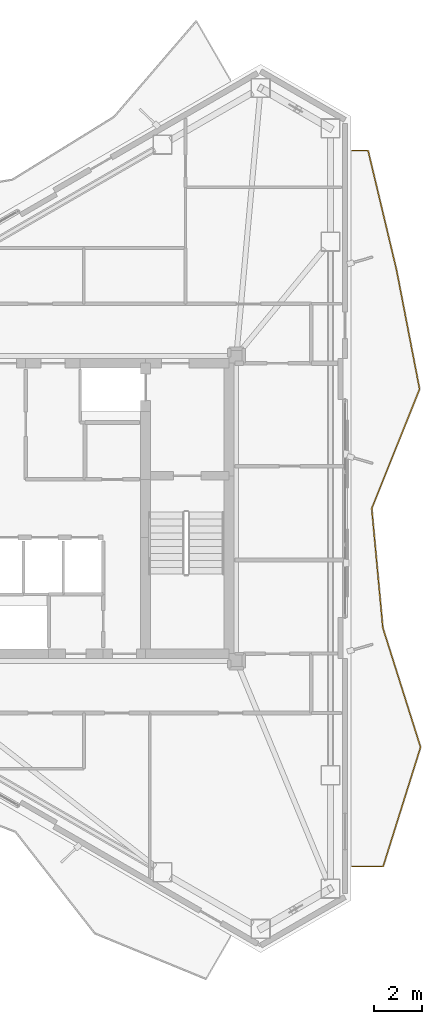
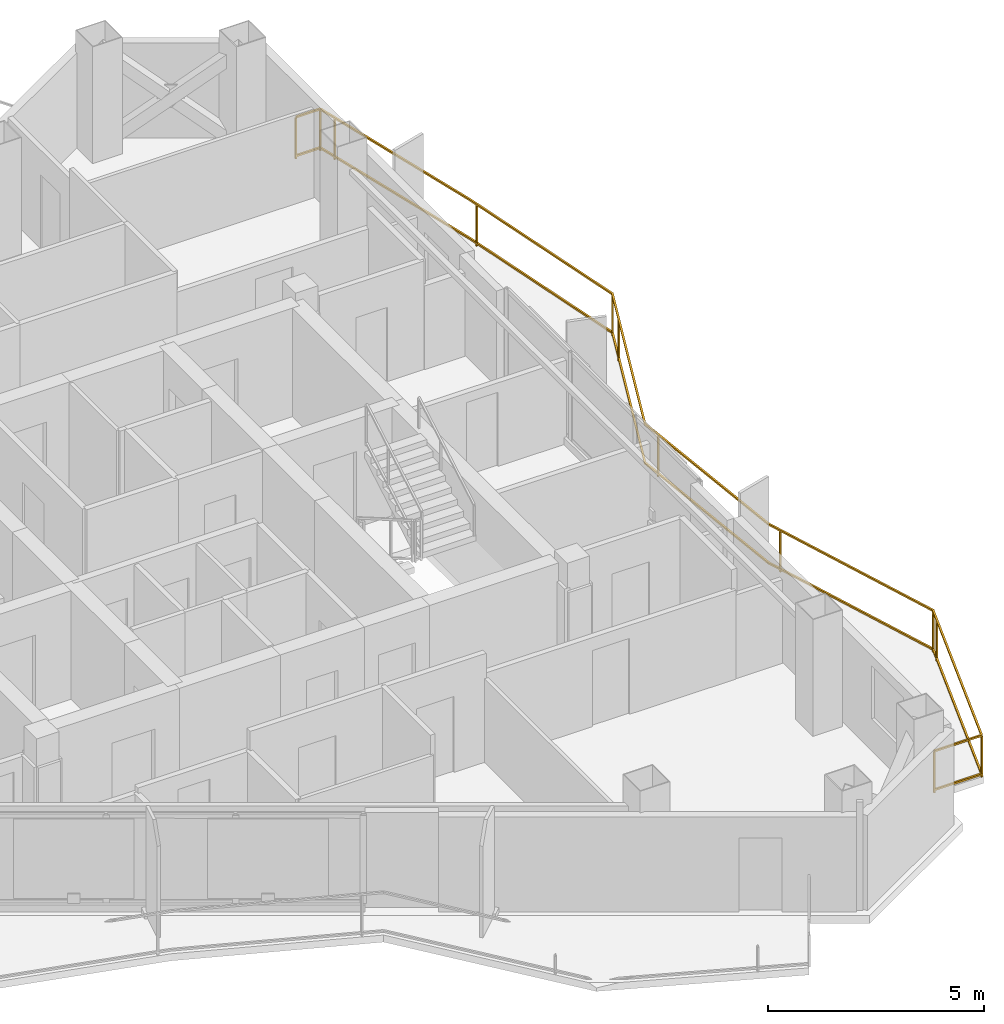
# One storey, part 21 of 21: 1 railing.
"""IFC4 building model written with IfcOpenShell, lengths in metres."""

from ifc_helpers import new_model, si_unit, direction, frame, origin, origin_2d, place, context, subcontext, project, spatial, rectangle, extrude, material, type_object, element, save


model = new_model("IFC4")

# Units and contexts
model_context = context("Model", 3, precision=1e-05, world=origin(), true_north=direction((0.0, 1.0)))
body_context = subcontext(model_context, "Body", "Model", "MODEL_VIEW")
ifc_project = project(units=[si_unit("LENGTHUNIT", "METRE"), si_unit("AREAUNIT", "SQUARE_METRE"), si_unit("VOLUMEUNIT", "CUBIC_METRE"), si_unit("PLANEANGLEUNIT", "RADIAN"), si_unit("MASSUNIT", "GRAM", prefix="KILO")], contexts=[model_context])

# Site, building, storey
site_placement = place(None, origin())
site = spatial("IfcSite", under=ifc_project, at=site_placement, CompositionType="ELEMENT")
building_placement = place(site_placement, origin())
building = spatial("IfcBuilding", under=site, at=building_placement, Name="Mersakhor Tower and Convention Hall", CompositionType="ELEMENT")
storey_placement = place(building_placement, frame((0.0, 0.0, 211.800048828125)))
storey = spatial("IfcBuildingStorey", under=building, at=storey_placement, Name="L59", CompositionType="ELEMENT", Elevation=211.800048828125)

# Railing
ifc_material = material(Name="Powder-coated galvanised steel and laminated glass balustrade", Category="steel")
railing_type = type_object("IfcRailingType", Name="RL-BAL-1200", PredefinedType="BALUSTRADE", material=ifc_material)
railing_placement = place(storey_placement, frame((40.888427734375, 11.957275390625, 0.0)))
element("IfcRailing", 1, at=railing_placement, inside=storey, type_object=railing_type, Name="L59 Sinusoidal Balcony Balustrade F2", PredefinedType="BALUSTRADE", context=body_context, shape_type="SweptSolid", body=[
    extrude(rectangle(XDim=0.048095703125, YDim=0.048095703125, at=origin_2d()), frame((0.0, 0.0, 1.17578125), z_axis=(1.0, 0.0, 0.0), x_axis=(0.0, 1.0, 0.0)), (0.0, 0.0, 1.0), 1.27294921875),
    extrude(rectangle(XDim=0.048095703125, YDim=0.048095703125, at=origin_2d()), frame((0.0, 0.0, 0.080078125), z_axis=(1.0, 0.0, 0.0), x_axis=(0.0, 1.0, 0.0)), (0.0, 0.0, 1.0), 1.27294921875),
    extrude(rectangle(XDim=0.048095703125, YDim=0.048095703125, at=origin_2d()), frame((1.27294921875, 0.0, 1.17578125), z_axis=(0.299369590017, 0.954137227328, 0.0), x_axis=(-0.954137227328, 0.299369590017, 0.0)), (0.0, 0.0, 1.0), 5.16796875),
    extrude(rectangle(XDim=0.048095703125, YDim=0.048095703125, at=origin_2d()), frame((1.27294921875, 0.0, 0.080078125), z_axis=(0.299369590017, 0.954137227328, 0.0), x_axis=(-0.954137227328, 0.299369590017, 0.0)), (0.0, 0.0, 1.0), 5.16796875),
    extrude(rectangle(XDim=0.048095703125, YDim=0.048095703125, at=origin_2d()), frame((2.820068359375, 4.930908203125, 1.17578125), z_axis=(-0.301303084076, 0.953528421981, 0.0), x_axis=(-0.953528421981, -0.301303084076, 0.0)), (0.0, 0.0, 1.0), 5.171142578125),
    extrude(rectangle(XDim=0.048095703125, YDim=0.048095703125, at=origin_2d()), frame((2.820068359375, 4.930908203125, 0.080078125), z_axis=(-0.301303084076, 0.953528421981, 0.0), x_axis=(-0.953528421981, -0.301303084076, 0.0)), (0.0, 0.0, 1.0), 5.171142578125),
    extrude(rectangle(XDim=0.048095703125, YDim=0.048095703125, at=origin_2d()), frame((1.261962890625, 9.86181640625, 1.17578125), z_axis=(-0.092682474925, 0.99569571599, 0.0), x_axis=(-0.99569571599, -0.092682474925, 0.0)), (0.0, 0.0, 1.0), 4.9521484375),
    extrude(rectangle(XDim=0.048095703125, YDim=0.048095703125, at=origin_2d()), frame((1.261962890625, 9.86181640625, 0.080078125), z_axis=(-0.092682474925, 0.99569571599, 0.0), x_axis=(-0.99569571599, -0.092682474925, 0.0)), (0.0, 0.0, 1.0), 4.9521484375),
    extrude(rectangle(XDim=0.048095703125, YDim=0.048095703125, at=origin_2d()), frame((0.802978515625, 14.792724609375, 1.17578125), z_axis=(0.371992820704, 0.928235606592, 0.0), x_axis=(-0.928235606592, 0.371992820704, 0.0)), (0.0, 0.0, 1.0), 5.31201171875),
    extrude(rectangle(XDim=0.048095703125, YDim=0.048095703125, at=origin_2d()), frame((0.802978515625, 14.792724609375, 0.080078125), z_axis=(0.371992820704, 0.928235606592, 0.0), x_axis=(-0.928235606592, 0.371992820704, 0.0)), (0.0, 0.0, 1.0), 5.31201171875),
    extrude(rectangle(XDim=0.048095703125, YDim=0.048095703125, at=origin_2d()), frame((2.779052734375, 19.7236328125, 1.17578125), z_axis=(-0.189923659462, 0.981798861059, 0.0), x_axis=(-0.981798861059, -0.189923659462, 0.0)), (0.0, 0.0, 1.0), 5.022216796875),
    extrude(rectangle(XDim=0.048095703125, YDim=0.048095703125, at=origin_2d()), frame((2.779052734375, 19.7236328125, 0.080078125), z_axis=(-0.189923659462, 0.981798861059, 0.0), x_axis=(-0.981798861059, -0.189923659462, 0.0)), (0.0, 0.0, 1.0), 5.022216796875),
    extrude(rectangle(XDim=0.048095703125, YDim=0.048095703125, at=origin_2d()), frame((1.8251953125, 24.654541015625, 1.17578125), z_axis=(-0.231857098364, 0.972749857845, 0.0), x_axis=(-0.972749857845, -0.231857098364, 0.0)), (0.0, 0.0, 1.0), 5.069091796875),
    extrude(rectangle(XDim=0.048095703125, YDim=0.048095703125, at=origin_2d()), frame((1.8251953125, 24.654541015625, 0.080078125), z_axis=(-0.231857098364, 0.972749857845, 0.0), x_axis=(-0.972749857845, -0.231857098364, 0.0)), (0.0, 0.0, 1.0), 5.069091796875),
    extrude(rectangle(XDim=0.048095703125, YDim=0.048095703125, at=origin_2d()), frame((0.64990234375, 29.58544921875, 1.17578125), z_axis=(-1.0, 0.0, 0.0), x_axis=(0.0, -1.0, 0.0)), (0.0, 0.0, 1.0), 0.64990234375),
    extrude(rectangle(XDim=0.048095703125, YDim=0.048095703125, at=origin_2d()), frame((0.64990234375, 29.58544921875, 0.080078125), z_axis=(-1.0, 0.0, 0.0), x_axis=(0.0, -1.0, 0.0)), (0.0, 0.0, 1.0), 0.64990234375),
    extrude(rectangle(XDim=0.0419921875, YDim=0.0419921875, at=origin_2d()), origin(), (0.0, 0.0, 1.0), 1.15185546875),
    extrude(rectangle(XDim=0.0419921875, YDim=0.0419921875, at=origin_2d()), frame((1.27294921875, 0.0, 0.0)), (0.0, 0.0, 1.0), 1.15185546875),
    extrude(rectangle(XDim=0.0419921875, YDim=0.0419921875, at=origin_2d()), frame((2.7099609375, 4.579833984375, 0.0)), (0.0, 0.0, 1.0), 1.15185546875),
    extrude(rectangle(XDim=0.0419921875, YDim=0.0419921875, at=origin_2d()), frame((2.820068359375, 4.930908203125, 0.0)), (0.0, 0.0, 1.0), 1.15185546875),
    extrude(rectangle(XDim=0.0419921875, YDim=0.0419921875, at=origin_2d()), frame((1.373779296875, 9.5078125, 0.0)), (0.0, 0.0, 1.0), 1.15185546875),
    extrude(rectangle(XDim=0.0419921875, YDim=0.0419921875, at=origin_2d()), frame((0.8515625, 14.271484375, 0.0)), (0.0, 0.0, 1.0), 1.15185546875),
    extrude(rectangle(XDim=0.0419921875, YDim=0.0419921875, at=origin_2d()), frame((2.393798828125, 18.762451171875, 0.0)), (0.0, 0.0, 1.0), 1.15185546875),
    extrude(rectangle(XDim=0.0419921875, YDim=0.0419921875, at=origin_2d()), frame((2.779052734375, 19.7236328125, 0.0)), (0.0, 0.0, 1.0), 1.15185546875),
    extrude(rectangle(XDim=0.0419921875, YDim=0.0419921875, at=origin_2d()), frame((1.867431640625, 24.436279296875, 0.0)), (0.0, 0.0, 1.0), 1.15185546875),
    extrude(rectangle(XDim=0.0419921875, YDim=0.0419921875, at=origin_2d()), frame((0.763916015625, 29.107421875, 0.0)), (0.0, 0.0, 1.0), 1.15185546875),
    extrude(rectangle(XDim=0.0419921875, YDim=0.0419921875, at=origin_2d()), frame((0.64990234375, 29.58544921875, 0.0)), (0.0, 0.0, 1.0), 1.15185546875),
    extrude(rectangle(XDim=0.0419921875, YDim=0.0419921875, at=origin_2d()), frame((0.0, 29.58544921875, 0.0)), (0.0, 0.0, 1.0), 1.15185546875),
])

save(model, "model.ifc")
